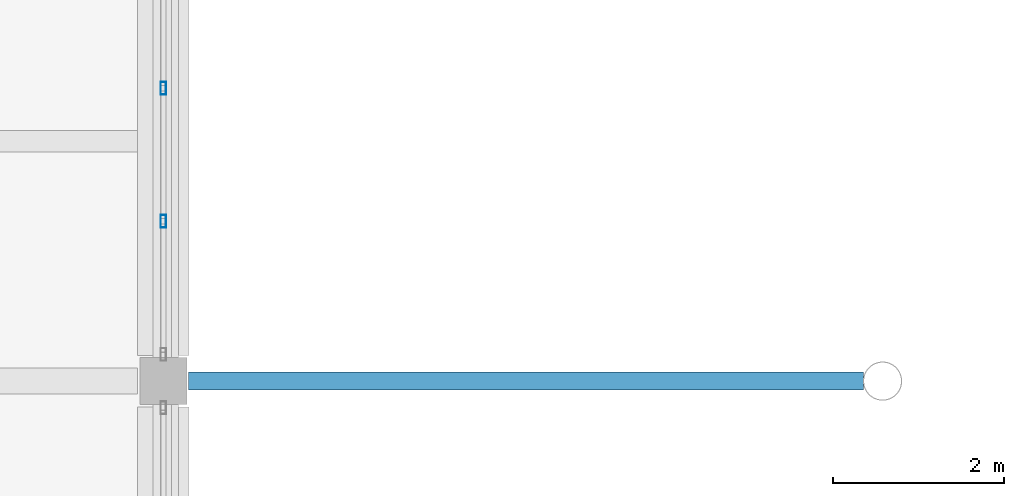
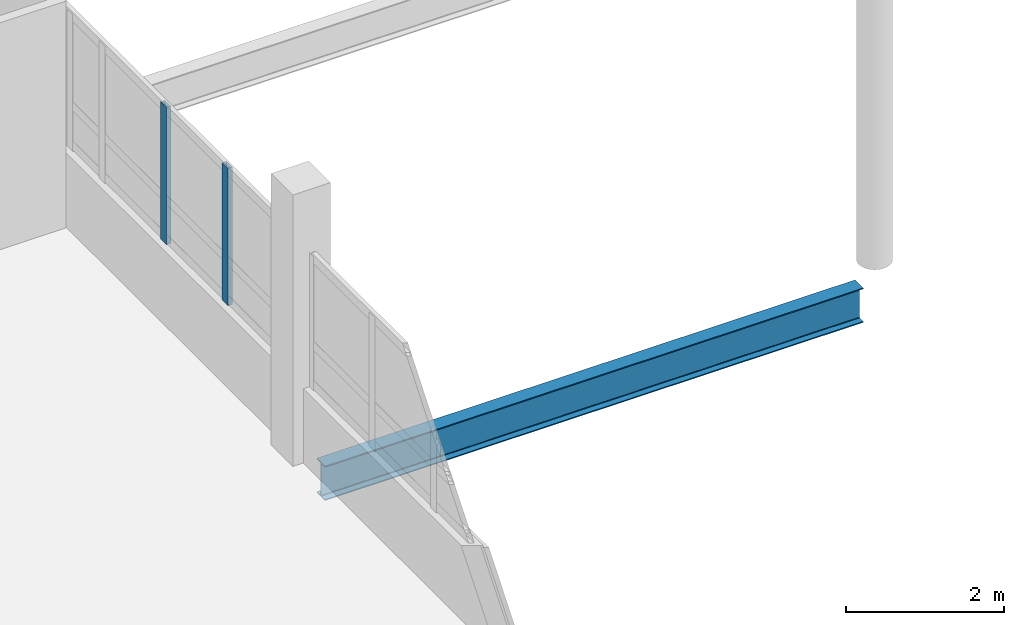
# One storey, part 41 of 130: 2 members, 1 beam, 1 element without a shape of its own.
"""IFC4 building model written with IfcOpenShell, lengths in metres."""

from ifc_helpers import new_model, si_unit, direction, frame, origin, origin_2d, place, context, subcontext, project, spatial, hollow_rectangle, i_section, extrude, material, layer, layer_set, material_profile, profile_set, type_object, element, aggregate, save


model = new_model("IFC4")

# Units and contexts
model_context = context("Model", 3, precision=1e-05, world=origin(), true_north=direction((0.0, 1.0)))
body_context = subcontext(model_context, "Body", "Model", "MODEL_VIEW")
ifc_project = project(units=[si_unit("LENGTHUNIT", "METRE"), si_unit("AREAUNIT", "SQUARE_METRE"), si_unit("VOLUMEUNIT", "CUBIC_METRE"), si_unit("PLANEANGLEUNIT", "RADIAN"), si_unit("MASSUNIT", "GRAM", prefix="KILO")], contexts=[model_context])

# Site, building, storey
site_placement = place(None, origin())
site = spatial("IfcSite", under=ifc_project, at=site_placement, CompositionType="ELEMENT")
building_placement = place(site_placement, origin())
building = spatial("IfcBuilding", under=site, at=building_placement, Name="Vireocrest Preparatory School", CompositionType="ELEMENT")
storey_placement = place(building_placement, frame((0.0, 0.0, 9.0)))
storey = spatial("IfcBuildingStorey", under=building, at=storey_placement, Name="L02", CompositionType="ELEMENT", Elevation=9.0)

# Curtain wall, members
ifc_material_1 = material(Name="Thermally broken aluminium EN AW-6063-T6", Category="aluminium")
ifc_layer = layer(ifc_material_1, 0.179931640625)
ifc_layer_set = layer_set([ifc_layer], Name="Thermally broken aluminium EN AW-6063-T6")
curtain_wall_type = type_object("IfcCurtainWallType", Name="Court Banded Curtain Wall 8400x3000", PredefinedType="USERDEFINED", material=ifc_layer_set)
curtain_wall_placement = place(storey_placement, origin())
curtain_wall = element("IfcCurtainWall", 1, at=curtain_wall_placement, inside=storey, type_object=curtain_wall_type, Name="Curtain Wall CW02 CW_L02_CW02_0672_0692_102", ObjectType="CURTAIN WALL", PredefinedType="USERDEFINED")
ifc_material_profile_1 = material_profile(ifc_material_1, hollow_rectangle(XDim=0.06494140625, YDim=0.14990234375, WallThickness=0.00390625, at=origin_2d()), Name="ALU 65x150x4")
ifc_profile_set_1 = profile_set([ifc_material_profile_1], Name="Thermally broken aluminium EN AW-6063-T6")
member_type = type_object("IfcMemberType", Name="CW Mullion 65x150x4", PredefinedType="MULLION", material=ifc_profile_set_1)
member_1_placement = place(storey_placement, frame((67.199951171875, 70.865966796875, 1.14990234375), z_axis=(0.0, 0.0, 1.0), x_axis=(1.0, 0.0, 0.0)))
member_1 = element("IfcMember", 2, at=member_1_placement, type_object=member_type, Name="CW Mullion ML1 CW_L02_CW02_0672_0692_102-2", PredefinedType="MULLION", context=body_context, shape_type="SweptSolid", body=[
    extrude(hollow_rectangle(XDim=0.06494140625, YDim=0.14990234375, WallThickness=0.00390625, at=origin_2d()), origin(), (0.0, 0.0, 1.0), 2.125),
])
member_2_placement = place(storey_placement, frame((67.199951171875, 72.422119140625, 1.14990234375), z_axis=(0.0, 0.0, 1.0), x_axis=(1.0, 0.0, 0.0)))
member_2 = element("IfcMember", 3, at=member_2_placement, type_object=member_type, Name="CW Mullion ML1 CW_L02_CW02_0672_0692_102-3", PredefinedType="MULLION", context=body_context, shape_type="SweptSolid", body=[
    extrude(hollow_rectangle(XDim=0.06494140625, YDim=0.14990234375, WallThickness=0.00390625, at=origin_2d()), origin(), (0.0, 0.0, 1.0), 2.125),
])
aggregate(curtain_wall, [member_1, member_2])

# Beam
ifc_material_2 = material(Name="Structural steel ASTM A992 Grade 50", Category="steel")
ifc_material_profile_2 = material_profile(ifc_material_2, i_section(OverallWidth=0.208984375, OverallDepth=0.532958984375, WebThickness=0.01025390625, FlangeThickness=0.015625, FilletRadius=0.014892578125, at=origin_2d()), Name="W21X62")
ifc_profile_set_2 = profile_set([ifc_material_profile_2], Name="Structural steel ASTM A992 Grade 50")
beam_type = type_object("IfcBeamType", Name="Court Tie Girder W21X62", PredefinedType="BEAM", material=ifc_profile_set_2)
beam_placement = place(storey_placement, frame((67.4951171875, 69.0, -0.56640625), z_axis=(1.0, 0.0, 0.0), x_axis=(0.0, 1.0, 0.0)))
element("IfcBeam", 4, at=beam_placement, inside=storey, type_object=beam_type, Name="Court Trunk Lateral Tie Girder SB5 W6 L02", PredefinedType="BEAM", context=body_context, shape_type="SweptSolid", body=[
    extrude(i_section(OverallWidth=0.208984375, OverallDepth=0.532958984375, WebThickness=0.01025390625, FlangeThickness=0.015625, FilletRadius=0.014892578125, at=origin_2d()), origin(), (0.0, 0.0, 1.0), 7.88134765625),
])

save(model, "model.ifc")
